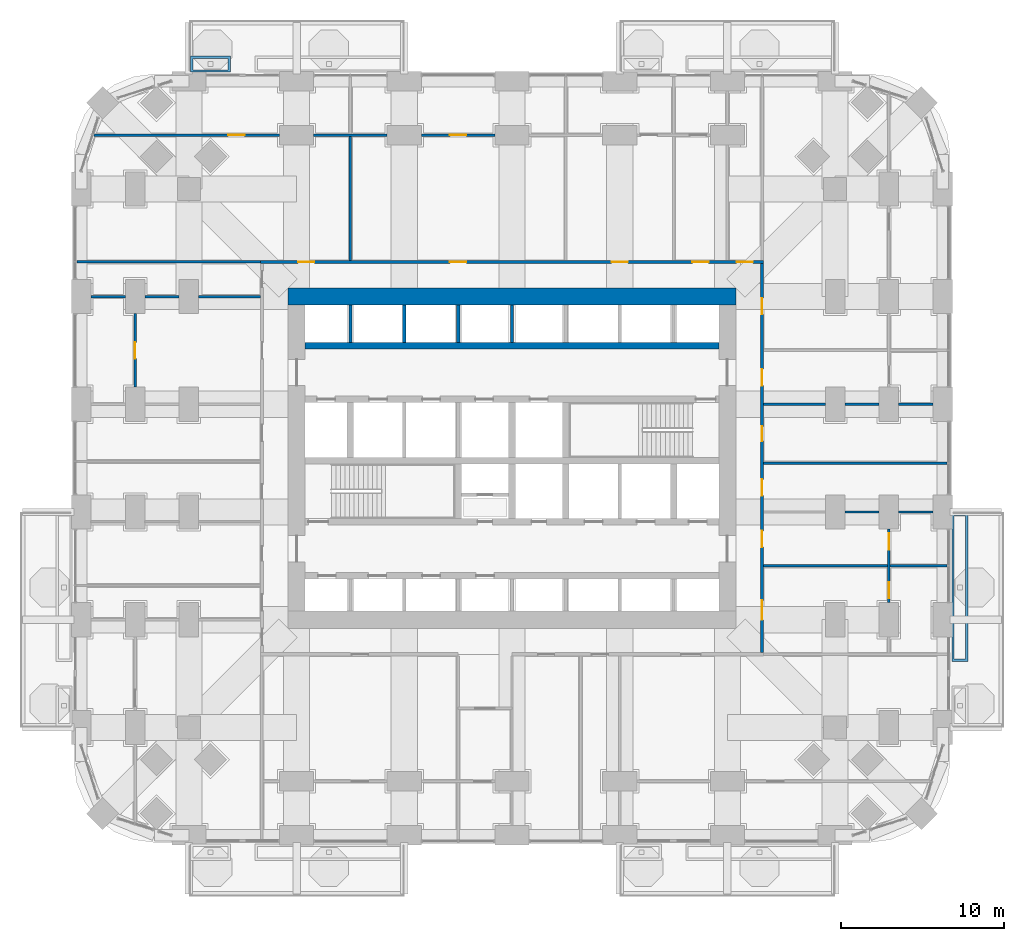
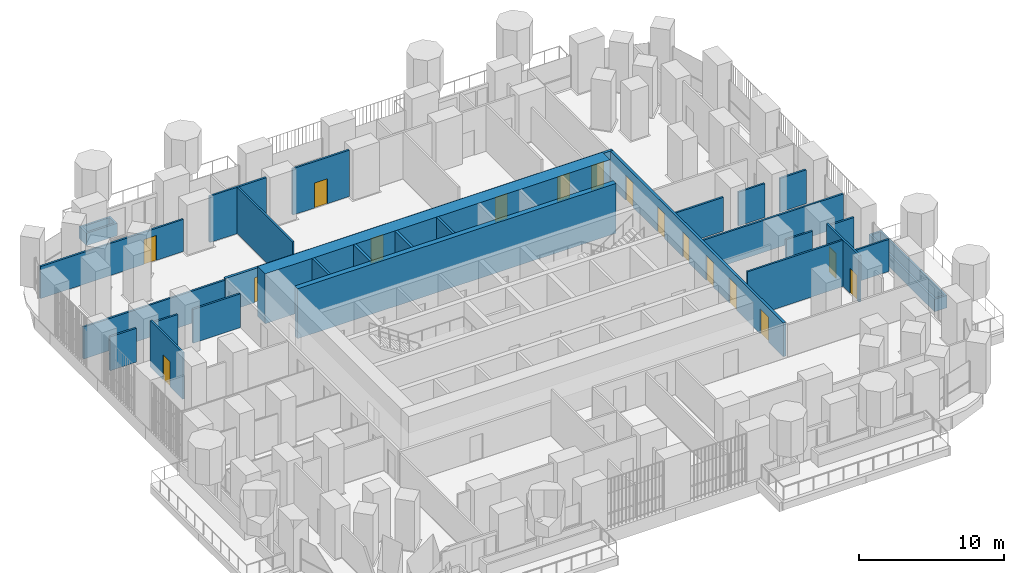
# One storey, part 21 of 27: 28 walls, 16 doors, 16 openings.
"""IFC4 building model written with IfcOpenShell, lengths in metres."""

from ifc_helpers import new_model, si_unit, direction, frame, frame_2d, origin, place, context, subcontext, project, spatial, polyline, rectangle, outline, extrude, material, layer, layer_set, type_object, element, fill, save


model = new_model("IFC4")

# Units and contexts
model_context = context("Model", 3, precision=1e-05, world=origin(), true_north=direction((0.0, 1.0)))
body_context = subcontext(model_context, "Body", "Model", "MODEL_VIEW")
ifc_project = project(units=[si_unit("LENGTHUNIT", "METRE"), si_unit("AREAUNIT", "SQUARE_METRE"), si_unit("VOLUMEUNIT", "CUBIC_METRE"), si_unit("PLANEANGLEUNIT", "RADIAN"), si_unit("MASSUNIT", "GRAM", prefix="KILO")], contexts=[model_context])

# Site, building, storey
site_placement = place(None, origin())
site = spatial("IfcSite", under=ifc_project, at=site_placement, CompositionType="ELEMENT")
building_placement = place(site_placement, origin())
building = spatial("IfcBuilding", under=site, at=building_placement, Name="Cobogo Forest Laboratory Tower", CompositionType="ELEMENT")
storey_placement = place(building_placement, frame((0.0, 0.0, 54.89990234375)))
storey = spatial("IfcBuildingStorey", under=building, at=storey_placement, Name="L12", CompositionType="ELEMENT", Elevation=54.89990234375)

# Walls
ifc_material_1 = material(Name="Concrete HA-50 (C50/60)", Category="concrete")
ifc_layer_1 = layer(ifc_material_1, 0.39990234375)
ifc_layer_set_1 = layer_set([ifc_layer_1], Name="CI400 core inner wall 400")
wall_type_1 = type_object("IfcWallType", Name="CI400 core inner wall 400", PredefinedType="SHEAR", material=ifc_layer_set_1)
wall_1_placement = place(storey_placement, frame((13.72509765625, 30.0, 0.0), z_axis=(0.0, 0.0, 1.0), x_axis=(1.0, 0.0, 0.0)))
element("IfcWall", 1, at=wall_1_placement, inside=storey, type_object=wall_type_1, Name="Core wall CI-30.0 L12", PredefinedType="SHEAR", context=body_context, shape_type="SweptSolid", body=[
    extrude(rectangle(XDim=25.349853515625, YDim=0.39990234375, at=frame_2d((12.6748046875, 0.0))), origin(), (0.0, 0.0, 1.0), 4.2001953125),
])
ifc_layer_2 = layer(ifc_material_1, 1.050048828125)
ifc_layer_set_2 = layer_set([ifc_layer_2], Name="CW1050 core outer wall 1050")
wall_type_2 = type_object("IfcWallType", Name="CW1050 core outer wall 1050", PredefinedType="SHEAR", material=ifc_layer_set_2)
wall_2_placement = place(storey_placement, frame((40.125, 33.0, 0.0), z_axis=(0.0, 0.0, 1.0), x_axis=(-1.0, 0.0, 0.0)))
element("IfcWall", 2, at=wall_2_placement, inside=storey, type_object=wall_type_2, Name="Core wall CO-N L12", PredefinedType="SHEAR", context=body_context, shape_type="SweptSolid", body=[
    extrude(rectangle(XDim=27.449951171875, YDim=1.050048828125, at=frame_2d((13.72509765625, 0.0))), origin(), (0.0, 0.0, 1.0), 4.2001953125),
])
ifc_material_2 = material(Name="Gypsum board on steel studs", Category="steel")
ifc_layer_3 = layer(ifc_material_2, 0.14990234375)
ifc_layer_set_3 = layer_set([ifc_layer_3], Name="PT1 laboratory partition 150")
wall_type_3 = type_object("IfcWallType", Name="PT1 laboratory partition 150", PredefinedType="PARTITIONING", material=ifc_layer_set_3)
wall_3_placement = place(storey_placement, frame((-0.27001953125, 35.125, 0.0), z_axis=(0.0, 0.0, 1.0), x_axis=(1.0, 0.0, 0.0)))
element("IfcWall", 3, at=wall_3_placement, inside=storey, type_object=wall_type_3, Name="Partition PW-NW L12", PredefinedType="PARTITIONING", context=body_context, shape_type="SweptSolid", body=[
    extrude(rectangle(XDim=11.2451171875, YDim=0.14990234375, at=frame_2d((5.62255859375, 0.0))), origin(), (0.0, 0.0, 1.0), 2.7001953125),
])

# Wall, openings, doors
wall_4_placement = place(storey_placement, frame((49.5, 14.25, 0.0), z_axis=(0.0, 0.0, 1.0), x_axis=(0.0, 1.0, 0.0)))
wall_4 = element("IfcWall", 4, at=wall_4_placement, inside=storey, type_object=wall_type_3, Name="Partition STRIP-E-2 L12", PredefinedType="PARTITIONING", context=body_context, shape_type="SweptSolid", body=[
    extrude(rectangle(XDim=4.5, YDim=0.14990234375, at=frame_2d((2.25, 0.0))), origin(), (0.0, 0.0, 1.0), 3.900146484375),
])
opening_1_placement = place(wall_4_placement, frame((0.25, 0.0, 0.0)))
opening_1 = element("IfcOpeningElement", 5, at=opening_1_placement, cuts=wall_4, Name="Opening L12-D17", PredefinedType="OPENING", context=body_context, shape_type="SweptSolid", body=[
    extrude(rectangle(XDim=1.0, YDim=2.10009765625, at=frame_2d((0.5, 1.050048828125))), frame((0.0, 0.0849609375, 0.0), z_axis=(0.0, -1.0, 0.0), x_axis=(1.0, 0.0, 0.0)), (0.0, 0.0, 1.0), 0.169921875),
])
opening_2_placement = place(wall_4_placement, frame((3.25, 0.0, 0.0)))
opening_2 = element("IfcOpeningElement", 6, at=opening_2_placement, cuts=wall_4, Name="Opening L12-D21", PredefinedType="OPENING", context=body_context, shape_type="SweptSolid", body=[
    extrude(rectangle(XDim=1.0, YDim=2.10009765625, at=frame_2d((0.5, 1.050048828125))), frame((0.0, 0.0849609375, 0.0), z_axis=(0.0, -1.0, 0.0), x_axis=(1.0, 0.0, 0.0)), (0.0, 0.0, 1.0), 0.169921875),
])
ifc_material_3 = material(Name="Timber fire door", Category="wood")
door_type_1 = type_object("IfcDoorType", Name="FD2 fire door 1000 EI2 30", OperationType="SINGLE_SWING_LEFT", PredefinedType="DOOR", material=ifc_material_3)
door_1_placement = place(opening_1_placement, origin())
door_1 = element("IfcDoor", 7, at=door_1_placement, inside=storey, type_object=door_type_1, Name="Door L12-E1W", OperationType="SINGLE_SWING_LEFT", OverallHeight=2.10009765625, OverallWidth=1.0, PredefinedType="DOOR", context=body_context, shape_type="SweptSolid", body=[
    extrude(rectangle(XDim=1.0, YDim=2.10009765625, at=frame_2d((0.5, 1.050048828125))), frame((0.0, 0.02490234375, 0.0), z_axis=(0.0, -1.0, 0.0), x_axis=(1.0, 0.0, 0.0)), (0.0, 0.0, 1.0), 0.050048828125),
])
fill(opening_1, door_1)
door_2_placement = place(opening_2_placement, origin())
door_2 = element("IfcDoor", 8, at=door_2_placement, inside=storey, type_object=door_type_1, Name="Door L12-E2W", OperationType="SINGLE_SWING_RIGHT", OverallHeight=2.10009765625, OverallWidth=1.0, PredefinedType="DOOR", context=body_context, shape_type="SweptSolid", body=[
    extrude(rectangle(XDim=1.0, YDim=2.10009765625, at=frame_2d((0.5, 1.050048828125))), frame((0.0, 0.02490234375, 0.0), z_axis=(0.0, -1.0, 0.0), x_axis=(1.0, 0.0, 0.0)), (0.0, 0.0, 1.0), 0.050048828125),
])
fill(opening_2, door_2)

# Walls
wall_5_placement = place(storey_placement, frame((53.070068359375, 22.800048828125, 0.0), z_axis=(0.0, 0.0, 1.0), x_axis=(-1.0, 0.0, 0.0)))
element("IfcWall", 9, at=wall_5_placement, inside=storey, type_object=wall_type_3, Name="Partition SVC-E1-1 L12", PredefinedType="PARTITIONING", context=body_context, shape_type="SweptSolid", body=[
    extrude(rectangle(XDim=11.2451171875, YDim=0.14990234375, at=frame_2d((5.62255859375, 0.0))), origin(), (0.0, 0.0, 1.0), 2.7001953125),
])
for number, where, z_axis, x_axis, name in (
    (10, (52.199951171875, 26.39990234375, 0.0), (0.0, 0.0, 1.0), (-1.0, 0.0, 0.0), "Partition SVC-E2-1 L12"),
    (11, (48.89990234375, 26.39990234375, 0.0), (0.0, 0.0, 1.0), (-1.0, 0.0, 0.0), "Partition SVC-E2-2 L12"),
):
    element("IfcWall", number, at=place(storey_placement, frame(where, z_axis=z_axis, x_axis=x_axis)), inside=storey, type_object=wall_type_3, Name=name, PredefinedType="PARTITIONING", context=body_context, shape_type="SweptSolid", body=[
        extrude(rectangle(XDim=2.099853515625, YDim=0.14990234375, at=frame_2d((1.0498046875, 0.0))), origin(), (0.0, 0.0, 1.0), 2.85009765625),
    ])
wall_6_placement = place(storey_placement, frame((45.60009765625, 26.39990234375, 0.0), z_axis=(0.0, 0.0, 1.0), x_axis=(-1.0, 0.0, 0.0)))
element("IfcWall", 12, at=wall_6_placement, inside=storey, type_object=wall_type_3, Name="Partition SVC-E2-3 L12", PredefinedType="PARTITIONING", context=body_context, shape_type="SweptSolid", body=[
    extrude(rectangle(XDim=3.775146484375, YDim=0.14990234375, at=frame_2d((1.8876953125, 0.0))), origin(), (0.0, 0.0, 1.0), 2.85009765625),
])
wall_7_placement = place(storey_placement, frame((53.070068359375, 16.5, 0.0), z_axis=(0.0, 0.0, 1.0), x_axis=(-1.0, 0.0, 0.0)))
element("IfcWall", 13, at=wall_7_placement, inside=storey, type_object=wall_type_3, Name="Partition CUT-E16.5a-1 L12", PredefinedType="PARTITIONING", context=body_context, shape_type="SweptSolid", body=[
    extrude(rectangle(XDim=3.4951171875, YDim=0.14990234375, at=frame_2d((1.74755859375, 0.0))), origin(), (0.0, 0.0, 1.0), 2.7001953125),
])
wall_8_placement = place(storey_placement, frame((49.425048828125, 16.5, 0.0), z_axis=(0.0, 0.0, 1.0), x_axis=(-1.0, 0.0, 0.0)))
element("IfcWall", 14, at=wall_8_placement, inside=storey, type_object=wall_type_3, Name="Partition CUT-E16.5b-1 L12", PredefinedType="PARTITIONING", context=body_context, shape_type="SweptSolid", body=[
    extrude(rectangle(XDim=7.60009765625, YDim=0.14990234375, at=frame_2d((3.800048828125, 0.0))), origin(), (0.0, 0.0, 1.0), 3.900146484375),
])
for number, where, z_axis, x_axis, name in (
    (15, (52.199951171875, 19.800048828125, 0.0), (0.0, 0.0, 1.0), (-1.0, 0.0, 0.0), "Partition CUT-E19.8-1 L12"),
    (16, (48.89990234375, 19.800048828125, 0.0), (0.0, 0.0, 1.0), (-1.0, 0.0, 0.0), "Partition CUT-E19.8-2 L12"),
):
    element("IfcWall", number, at=place(storey_placement, frame(where, z_axis=z_axis, x_axis=x_axis)), inside=storey, type_object=wall_type_3, Name=name, PredefinedType="PARTITIONING", context=body_context, shape_type="SweptSolid", body=[
        extrude(rectangle(XDim=2.099853515625, YDim=0.14990234375, at=frame_2d((1.0498046875, 0.0))), origin(), (0.0, 0.0, 1.0), 2.85009765625),
    ])

# Wall, opening, door
wall_9_placement = place(storey_placement, frame((25.35009765625, 42.89990234375, 0.0), z_axis=(0.0, 0.0, 1.0), x_axis=(-1.0, 0.0, 0.0)))
wall_9 = element("IfcWall", 17, at=wall_9_placement, inside=storey, type_object=wall_type_3, Name="Partition STRIP-N-3 L12", PredefinedType="PARTITIONING", context=body_context, shape_type="SweptSolid", body=[
    extrude(rectangle(XDim=4.5, YDim=0.14990234375, at=frame_2d((2.25, 0.0))), origin(), (0.0, 0.0, 1.0), 3.900146484375),
])
opening_3_placement = place(wall_9_placement, frame((1.75, 0.0, 0.0)))
opening_3 = element("IfcOpeningElement", 18, at=opening_3_placement, cuts=wall_9, Name="Opening L12-D47", PredefinedType="OPENING", context=body_context, shape_type="SweptSolid", body=[
    extrude(rectangle(XDim=1.0, YDim=2.10009765625, at=frame_2d((0.5, 1.050048828125))), frame((0.0, 0.0849609375, 0.0), z_axis=(0.0, -1.0, 0.0), x_axis=(1.0, 0.0, 0.0)), (0.0, 0.0, 1.0), 0.169921875),
])
door_3_placement = place(opening_3_placement, origin())
door_3 = element("IfcDoor", 19, at=door_3_placement, inside=storey, type_object=door_type_1, Name="Door L12-N2W", OperationType="SINGLE_SWING_RIGHT", OverallHeight=2.10009765625, OverallWidth=1.0, PredefinedType="DOOR", context=body_context, shape_type="SweptSolid", body=[
    extrude(rectangle(XDim=1.0, YDim=2.10009765625, at=frame_2d((0.5, 1.050048828125))), frame((0.0, 0.02490234375, 0.0), z_axis=(0.0, -1.0, 0.0), x_axis=(1.0, 0.0, 0.0)), (0.0, 0.0, 1.0), 0.050048828125),
])
fill(opening_3, door_3)

# Wall
wall_10_placement = place(storey_placement, frame((18.75, 42.89990234375, 0.0), z_axis=(0.0, 0.0, 1.0), x_axis=(-1.0, 0.0, 0.0)))
element("IfcWall", 20, at=wall_10_placement, inside=storey, type_object=wall_type_3, Name="Partition STRIP-N-4 L12", PredefinedType="PARTITIONING", context=body_context, shape_type="SweptSolid", body=[
    extrude(rectangle(XDim=4.5, YDim=0.14990234375, at=frame_2d((2.25, 0.0))), origin(), (0.0, 0.0, 1.0), 3.900146484375),
])

# Wall, opening, door
wall_11_placement = place(storey_placement, frame((12.14990234375, 42.89990234375, 0.0), z_axis=(0.0, 0.0, 1.0), x_axis=(-1.0, 0.0, 0.0)))
wall_11 = element("IfcWall", 21, at=wall_11_placement, inside=storey, type_object=wall_type_3, Name="Partition STRIP-N-5 L12", PredefinedType="PARTITIONING", context=body_context, shape_type="SweptSolid", body=[
    extrude(rectangle(XDim=11.373779296875, YDim=0.14990234375, at=frame_2d((5.68701171875, 0.0))), origin(), (0.0, 0.0, 1.0), 2.7001953125),
])
opening_4_placement = place(wall_11_placement, frame((2.14208984375, 0.0, 0.0)))
opening_4 = element("IfcOpeningElement", 22, at=opening_4_placement, cuts=wall_11, Name="Opening L12-D46", PredefinedType="OPENING", context=body_context, shape_type="SweptSolid", body=[
    extrude(rectangle(XDim=1.0, YDim=2.10009765625, at=frame_2d((0.5, 1.050048828125))), frame((0.0, 0.0849609375, 0.0), z_axis=(0.0, -1.0, 0.0), x_axis=(1.0, 0.0, 0.0)), (0.0, 0.0, 1.0), 0.169921875),
])
door_4_placement = place(opening_4_placement, origin())
door_4 = element("IfcDoor", 23, at=door_4_placement, inside=storey, type_object=door_type_1, Name="Door L12-N1W", OperationType="SINGLE_SWING_LEFT", OverallHeight=2.10009765625, OverallWidth=1.0, PredefinedType="DOOR", context=body_context, shape_type="SweptSolid", body=[
    extrude(rectangle(XDim=1.0, YDim=2.10009765625, at=frame_2d((0.5, 1.050048828125))), frame((0.0, 0.02490234375, 0.0), z_axis=(0.0, -1.0, 0.0), x_axis=(1.0, 0.0, 0.0)), (0.0, 0.0, 1.0), 0.050048828125),
])
fill(opening_4, door_4)

# Wall
wall_12_placement = place(storey_placement, frame((16.5, 42.824951171875, 0.0), z_axis=(0.0, 0.0, 1.0), x_axis=(0.0, -1.0, 0.0)))
element("IfcWall", 24, at=wall_12_placement, inside=storey, type_object=wall_type_3, Name="Partition CUT-N16.5b-1 L12", PredefinedType="PARTITIONING", context=body_context, shape_type="SweptSolid", body=[
    extrude(rectangle(XDim=7.599853515625, YDim=0.14990234375, at=frame_2d((3.7998046875, 0.0))), origin(), (0.0, 0.0, 1.0), 3.900146484375),
])

# Wall, opening, door
wall_13_placement = place(storey_placement, frame((3.300048828125, 31.949951171875, 0.0), z_axis=(0.0, 0.0, 1.0), x_axis=(0.0, -1.0, 0.0)))
wall_13 = element("IfcWall", 25, at=wall_13_placement, inside=storey, type_object=wall_type_3, Name="Partition STRIP-W-1 L12", PredefinedType="PARTITIONING", context=body_context, shape_type="SweptSolid", body=[
    extrude(rectangle(XDim=4.5, YDim=0.14990234375, at=frame_2d((2.25, 0.0))), origin(), (0.0, 0.0, 1.0), 3.900146484375),
])
opening_5_placement = place(wall_13_placement, frame((1.75, 0.0, 0.0)))
opening_5 = element("IfcOpeningElement", 26, at=opening_5_placement, cuts=wall_13, Name="Opening L12-D36", PredefinedType="OPENING", context=body_context, shape_type="SweptSolid", body=[
    extrude(rectangle(XDim=1.0, YDim=2.10009765625, at=frame_2d((0.5, 1.050048828125))), frame((0.0, 0.0849609375, 0.0), z_axis=(0.0, -1.0, 0.0), x_axis=(1.0, 0.0, 0.0)), (0.0, 0.0, 1.0), 0.169921875),
])
door_5_placement = place(opening_5_placement, origin())
door_5 = element("IfcDoor", 27, at=door_5_placement, inside=storey, type_object=door_type_1, Name="Door L12-W3W", OperationType="SINGLE_SWING_RIGHT", OverallHeight=2.10009765625, OverallWidth=1.0, PredefinedType="DOOR", context=body_context, shape_type="SweptSolid", body=[
    extrude(rectangle(XDim=1.0, YDim=2.10009765625, at=frame_2d((0.5, 1.050048828125))), frame((0.0, 0.02490234375, 0.0), z_axis=(0.0, -1.0, 0.0), x_axis=(1.0, 0.0, 0.0)), (0.0, 0.0, 1.0), 0.050048828125),
])
fill(opening_5, door_5)

# Walls
wall_14_placement = place(storey_placement, frame((0.60009765625, 33.0, 0.0), z_axis=(0.0, 0.0, 1.0), x_axis=(1.0, 0.0, 0.0)))
element("IfcWall", 28, at=wall_14_placement, inside=storey, type_object=wall_type_3, Name="Partition CUT-W33-1 L12", PredefinedType="PARTITIONING", context=body_context, shape_type="SweptSolid", body=[
    extrude(rectangle(XDim=2.099853515625, YDim=0.14990234375, at=frame_2d((1.0498046875, 0.0))), origin(), (0.0, 0.0, 1.0), 2.85009765625),
])
wall_15_placement = place(storey_placement, frame((3.89990234375, 33.0, 0.0), z_axis=(0.0, 0.0, 1.0), x_axis=(1.0, 0.0, 0.0)))
element("IfcWall", 29, at=wall_15_placement, inside=storey, type_object=wall_type_3, Name="Partition CUT-W33-2 L12", PredefinedType="PARTITIONING", context=body_context, shape_type="SweptSolid", body=[
    extrude(rectangle(XDim=2.10009765625, YDim=0.14990234375, at=frame_2d((1.050048828125, 0.0))), origin(), (0.0, 0.0, 1.0), 2.85009765625),
])
wall_16_placement = place(storey_placement, frame((7.199951171875, 33.0, 0.0), z_axis=(0.0, 0.0, 1.0), x_axis=(1.0, 0.0, 0.0)))
element("IfcWall", 30, at=wall_16_placement, inside=storey, type_object=wall_type_3, Name="Partition CUT-W33-3 L12", PredefinedType="PARTITIONING", context=body_context, shape_type="SweptSolid", body=[
    extrude(rectangle(XDim=3.775146484375, YDim=0.14990234375, at=frame_2d((1.8876953125, 0.0))), origin(), (0.0, 0.0, 1.0), 2.85009765625),
])

# Wall, openings, doors
ifc_layer_4 = layer(ifc_material_2, 0.199951171875)
ifc_layer_set_4 = layer_set([ifc_layer_4], Name="PT2 fire-rated corridor partition 200")
wall_type_4 = type_object("IfcWallType", Name="PT2 fire-rated corridor partition 200", PredefinedType="PARTITIONING", material=ifc_layer_set_4)
wall_17_placement = place(storey_placement, frame((10.97509765625, 35.125, 0.0), z_axis=(0.0, 0.0, 1.0), x_axis=(1.0, 0.0, 0.0)))
wall_17 = element("IfcWall", 31, at=wall_17_placement, inside=storey, type_object=wall_type_4, Name="Partition CORR-N L12", PredefinedType="PARTITIONING", context=body_context, shape_type="SweptSolid", body=[
    extrude(rectangle(XDim=30.849853515625, YDim=0.199951171875, at=frame_2d((15.4248046875, 0.0))), origin(), (0.0, 0.0, 1.0), 2.85009765625),
])
opening_6_placement = place(wall_17_placement, frame((2.3125, 0.0, 0.0)))
opening_6 = element("IfcOpeningElement", 32, at=opening_6_placement, cuts=wall_17, Name="Opening L12-D40", PredefinedType="OPENING", context=body_context, shape_type="SweptSolid", body=[
    extrude(rectangle(XDim=1.0, YDim=2.10009765625, at=frame_2d((0.5, 1.050048828125))), frame((0.0, 0.10986328125, 0.0), z_axis=(0.0, -1.0, 0.0), x_axis=(1.0, 0.0, 0.0)), (0.0, 0.0, 1.0), 0.219970703125),
])
opening_7_placement = place(wall_17_placement, frame((11.625, 0.0, 0.0)))
opening_7 = element("IfcOpeningElement", 33, at=opening_7_placement, cuts=wall_17, Name="Opening L12-D41", PredefinedType="OPENING", context=body_context, shape_type="SweptSolid", body=[
    extrude(rectangle(XDim=1.0, YDim=2.10009765625, at=frame_2d((0.5, 1.050048828125))), frame((0.0, 0.10986328125, 0.0), z_axis=(0.0, -1.0, 0.0), x_axis=(1.0, 0.0, 0.0)), (0.0, 0.0, 1.0), 0.219970703125),
])
opening_8_placement = place(wall_17_placement, frame((21.52490234375, 0.0, 0.0)))
opening_8 = element("IfcOpeningElement", 34, at=opening_8_placement, cuts=wall_17, Name="Opening L12-D42", PredefinedType="OPENING", context=body_context, shape_type="SweptSolid", body=[
    extrude(rectangle(XDim=1.0, YDim=2.10009765625, at=frame_2d((0.5, 1.050048828125))), frame((0.0, 0.10986328125, 0.0), z_axis=(0.0, -1.0, 0.0), x_axis=(1.0, 0.0, 0.0)), (0.0, 0.0, 1.0), 0.219970703125),
])
opening_9_placement = place(wall_17_placement, frame((26.47509765625, 0.0, 0.0)))
opening_9 = element("IfcOpeningElement", 35, at=opening_9_placement, cuts=wall_17, Name="Opening L12-D43", PredefinedType="OPENING", context=body_context, shape_type="SweptSolid", body=[
    extrude(rectangle(XDim=1.0, YDim=2.10009765625, at=frame_2d((0.5, 1.050048828125))), frame((0.0, 0.10986328125, 0.0), z_axis=(0.0, -1.0, 0.0), x_axis=(1.0, 0.0, 0.0)), (0.0, 0.0, 1.0), 0.219970703125),
])
opening_10_placement = place(wall_17_placement, frame((29.1875, 0.0, 0.0)))
opening_10 = element("IfcOpeningElement", 36, at=opening_10_placement, cuts=wall_17, Name="Opening L12-D44", PredefinedType="OPENING", context=body_context, shape_type="SweptSolid", body=[
    extrude(rectangle(XDim=1.0, YDim=2.10009765625, at=frame_2d((0.5, 1.050048828125))), frame((0.0, 0.10986328125, 0.0), z_axis=(0.0, -1.0, 0.0), x_axis=(1.0, 0.0, 0.0)), (0.0, 0.0, 1.0), 0.219970703125),
])
ifc_material_4 = material(Name="Steel fire door", Category="steel")
door_type_2 = type_object("IfcDoorType", Name="FD1 fire door 1000 EI2 60", OperationType="SINGLE_SWING_LEFT", PredefinedType="DOOR", material=ifc_material_4)
door_6_placement = place(opening_8_placement, origin())
door_6 = element("IfcDoor", 37, at=door_6_placement, inside=storey, type_object=door_type_2, Name="Door L12-N3", OperationType="SINGLE_SWING_RIGHT", OverallHeight=2.10009765625, OverallWidth=1.0, PredefinedType="DOOR", context=body_context, shape_type="SweptSolid", body=[
    extrude(rectangle(XDim=1.0, YDim=2.10009765625, at=frame_2d((0.5, 1.050048828125))), frame((0.0, 0.02490234375, 0.0), z_axis=(0.0, -1.0, 0.0), x_axis=(1.0, 0.0, 0.0)), (0.0, 0.0, 1.0), 0.050048828125),
])
fill(opening_8, door_6)
door_7_placement = place(opening_6_placement, origin())
door_7 = element("IfcDoor", 38, at=door_7_placement, inside=storey, type_object=door_type_1, Name="Door L12-N1", OperationType="SINGLE_SWING_LEFT", OverallHeight=2.10009765625, OverallWidth=1.0, PredefinedType="DOOR", context=body_context, shape_type="SweptSolid", body=[
    extrude(rectangle(XDim=1.0, YDim=2.10009765625, at=frame_2d((0.5, 1.050048828125))), frame((0.0, 0.02490234375, 0.0), z_axis=(0.0, -1.0, 0.0), x_axis=(1.0, 0.0, 0.0)), (0.0, 0.0, 1.0), 0.050048828125),
])
fill(opening_6, door_7)
door_8_placement = place(opening_7_placement, origin())
door_8 = element("IfcDoor", 39, at=door_8_placement, inside=storey, type_object=door_type_1, Name="Door L12-N2", OperationType="SINGLE_SWING_LEFT", OverallHeight=2.10009765625, OverallWidth=1.0, PredefinedType="DOOR", context=body_context, shape_type="SweptSolid", body=[
    extrude(rectangle(XDim=1.0, YDim=2.10009765625, at=frame_2d((0.5, 1.050048828125))), frame((0.0, 0.02490234375, 0.0), z_axis=(0.0, -1.0, 0.0), x_axis=(1.0, 0.0, 0.0)), (0.0, 0.0, 1.0), 0.050048828125),
])
fill(opening_7, door_8)
door_9_placement = place(opening_9_placement, origin())
door_9 = element("IfcDoor", 40, at=door_9_placement, inside=storey, type_object=door_type_1, Name="Door L12-N4", OperationType="SINGLE_SWING_RIGHT", OverallHeight=2.10009765625, OverallWidth=1.0, PredefinedType="DOOR", context=body_context, shape_type="SweptSolid", body=[
    extrude(rectangle(XDim=1.0, YDim=2.10009765625, at=frame_2d((0.5, 1.050048828125))), frame((0.0, 0.02490234375, 0.0), z_axis=(0.0, -1.0, 0.0), x_axis=(1.0, 0.0, 0.0)), (0.0, 0.0, 1.0), 0.050048828125),
])
fill(opening_9, door_9)
door_10_placement = place(opening_10_placement, origin())
door_10 = element("IfcDoor", 41, at=door_10_placement, inside=storey, type_object=door_type_1, Name="Door L12-N5", OperationType="SINGLE_SWING_RIGHT", OverallHeight=2.10009765625, OverallWidth=1.0, PredefinedType="DOOR", context=body_context, shape_type="SweptSolid", body=[
    extrude(rectangle(XDim=1.0, YDim=2.10009765625, at=frame_2d((0.5, 1.050048828125))), frame((0.0, 0.02490234375, 0.0), z_axis=(0.0, -1.0, 0.0), x_axis=(1.0, 0.0, 0.0)), (0.0, 0.0, 1.0), 0.050048828125),
])
fill(opening_10, door_10)

wall_18_placement = place(storey_placement, frame((41.72509765625, 11.175048828125, 0.0), z_axis=(0.0, 0.0, 1.0), x_axis=(0.0, 1.0, 0.0)))
wall_18 = element("IfcWall", 42, at=wall_18_placement, inside=storey, type_object=wall_type_4, Name="Partition CORR-E L12", PredefinedType="PARTITIONING", context=body_context, shape_type="SweptSolid", body=[
    extrude(rectangle(XDim=23.849853515625, YDim=0.199951171875, at=frame_2d((11.9248046875, 0.0))), origin(), (0.0, 0.0, 1.0), 2.85009765625),
])
opening_11_placement = place(wall_18_placement, frame((2.012451171875, 0.0, 0.0)))
opening_11 = element("IfcOpeningElement", 43, at=opening_11_placement, cuts=wall_18, Name="Opening L12-D15", PredefinedType="OPENING", context=body_context, shape_type="SweptSolid", body=[
    extrude(rectangle(XDim=1.199951171875, YDim=2.10009765625, at=frame_2d((0.60009765625, 1.050048828125))), frame((0.0, 0.10986328125, 0.0), z_axis=(0.0, -1.0, 0.0), x_axis=(1.0, 0.0, 0.0)), (0.0, 0.0, 1.0), 0.219970703125),
])
opening_12_placement = place(wall_18_placement, frame((6.47509765625, 0.0, 0.0)))
opening_12 = element("IfcOpeningElement", 44, at=opening_12_placement, cuts=wall_18, Name="Opening L12-D22", PredefinedType="OPENING", context=body_context, shape_type="SweptSolid", body=[
    extrude(rectangle(XDim=1.0, YDim=2.10009765625, at=frame_2d((0.5, 1.050048828125))), frame((0.0, 0.10986328125, 0.0), z_axis=(0.0, -1.0, 0.0), x_axis=(1.0, 0.0, 0.0)), (0.0, 0.0, 1.0), 0.219970703125),
])
opening_13_placement = place(wall_18_placement, frame((9.625, 0.0, 0.0)))
opening_13 = element("IfcOpeningElement", 45, at=opening_13_placement, cuts=wall_18, Name="Opening L12-D28", PredefinedType="OPENING", context=body_context, shape_type="SweptSolid", body=[
    extrude(rectangle(XDim=1.0, YDim=2.10009765625, at=frame_2d((0.5, 1.050048828125))), frame((0.0, 0.10986328125, 0.0), z_axis=(0.0, -1.0, 0.0), x_axis=(1.0, 0.0, 0.0)), (0.0, 0.0, 1.0), 0.219970703125),
])
opening_14_placement = place(wall_18_placement, frame((12.97509765625, 0.0, 0.0)))
opening_14 = element("IfcOpeningElement", 46, at=opening_14_placement, cuts=wall_18, Name="Opening L12-D29", PredefinedType="OPENING", context=body_context, shape_type="SweptSolid", body=[
    extrude(rectangle(XDim=0.89990234375, YDim=2.10009765625, at=frame_2d((0.449951171875, 1.050048828125))), frame((0.0, 0.10986328125, 0.0), z_axis=(0.0, -1.0, 0.0), x_axis=(1.0, 0.0, 0.0)), (0.0, 0.0, 1.0), 0.219970703125),
])
opening_15_placement = place(wall_18_placement, frame((16.375, 0.0, 0.0)))
opening_15 = element("IfcOpeningElement", 47, at=opening_15_placement, cuts=wall_18, Name="Opening L12-D32", PredefinedType="OPENING", context=body_context, shape_type="SweptSolid", body=[
    extrude(rectangle(XDim=1.0, YDim=2.10009765625, at=frame_2d((0.5, 1.050048828125))), frame((0.0, 0.10986328125, 0.0), z_axis=(0.0, -1.0, 0.0), x_axis=(1.0, 0.0, 0.0)), (0.0, 0.0, 1.0), 0.219970703125),
])
opening_16_placement = place(wall_18_placement, frame((20.737548828125, 0.0, 0.0)))
opening_16 = element("IfcOpeningElement", 48, at=opening_16_placement, cuts=wall_18, Name="Opening L12-D38", PredefinedType="OPENING", context=body_context, shape_type="SweptSolid", body=[
    extrude(rectangle(XDim=1.0, YDim=2.10009765625, at=frame_2d((0.5, 1.050048828125))), frame((0.0, 0.10986328125, 0.0), z_axis=(0.0, -1.0, 0.0), x_axis=(1.0, 0.0, 0.0)), (0.0, 0.0, 1.0), 0.219970703125),
])
ifc_material_5 = material(Name="Timber door", Category="wood")
door_type_3 = type_object("IfcDoorType", Name="D2 laboratory door 1200 unequal pair", OperationType="DOUBLE_DOOR_SINGLE_SWING", PredefinedType="DOOR", material=ifc_material_5)
door_11_placement = place(opening_11_placement, origin())
door_11 = element("IfcDoor", 49, at=door_11_placement, inside=storey, type_object=door_type_3, Name="Door L12-E1", OperationType="DOUBLE_DOOR_SINGLE_SWING", OverallHeight=2.10009765625, OverallWidth=1.199951171875, PredefinedType="DOOR", context=body_context, shape_type="SweptSolid", body=[
    extrude(rectangle(XDim=1.199951171875, YDim=2.10009765625, at=frame_2d((0.60009765625, 1.050048828125))), frame((0.0, 0.02490234375, 0.0), z_axis=(0.0, -1.0, 0.0), x_axis=(1.0, 0.0, 0.0)), (0.0, 0.0, 1.0), 0.050048828125),
])
fill(opening_11, door_11)
door_12_placement = place(opening_12_placement, origin())
door_12 = element("IfcDoor", 50, at=door_12_placement, inside=storey, type_object=door_type_2, Name="Door L12-E2", OperationType="SINGLE_SWING_LEFT", OverallHeight=2.10009765625, OverallWidth=1.0, PredefinedType="DOOR", context=body_context, shape_type="SweptSolid", body=[
    extrude(rectangle(XDim=1.0, YDim=2.10009765625, at=frame_2d((0.5, 1.050048828125))), frame((0.0, 0.02490234375, 0.0), z_axis=(0.0, -1.0, 0.0), x_axis=(1.0, 0.0, 0.0)), (0.0, 0.0, 1.0), 0.050048828125),
])
fill(opening_12, door_12)
door_13_placement = place(opening_13_placement, origin())
door_13 = element("IfcDoor", 51, at=door_13_placement, inside=storey, type_object=door_type_2, Name="Door L12-ELEC", OperationType="SINGLE_SWING_LEFT", OverallHeight=2.10009765625, OverallWidth=1.0, PredefinedType="DOOR", context=body_context, shape_type="SweptSolid", body=[
    extrude(rectangle(XDim=1.0, YDim=2.10009765625, at=frame_2d((0.5, 1.050048828125))), frame((0.0, 0.02490234375, 0.0), z_axis=(0.0, -1.0, 0.0), x_axis=(1.0, 0.0, 0.0)), (0.0, 0.0, 1.0), 0.050048828125),
])
fill(opening_13, door_13)
door_14_placement = place(opening_15_placement, origin())
door_14 = element("IfcDoor", 52, at=door_14_placement, inside=storey, type_object=door_type_2, Name="Door L12-E3", OperationType="SINGLE_SWING_RIGHT", OverallHeight=2.10009765625, OverallWidth=1.0, PredefinedType="DOOR", context=body_context, shape_type="SweptSolid", body=[
    extrude(rectangle(XDim=1.0, YDim=2.10009765625, at=frame_2d((0.5, 1.050048828125))), frame((0.0, 0.02490234375, 0.0), z_axis=(0.0, -1.0, 0.0), x_axis=(1.0, 0.0, 0.0)), (0.0, 0.0, 1.0), 0.050048828125),
])
fill(opening_15, door_14)
door_15_placement = place(opening_16_placement, origin())
door_15 = element("IfcDoor", 53, at=door_15_placement, inside=storey, type_object=door_type_1, Name="Door L12-E4", OperationType="SINGLE_SWING_RIGHT", OverallHeight=2.10009765625, OverallWidth=1.0, PredefinedType="DOOR", context=body_context, shape_type="SweptSolid", body=[
    extrude(rectangle(XDim=1.0, YDim=2.10009765625, at=frame_2d((0.5, 1.050048828125))), frame((0.0, 0.02490234375, 0.0), z_axis=(0.0, -1.0, 0.0), x_axis=(1.0, 0.0, 0.0)), (0.0, 0.0, 1.0), 0.050048828125),
])
fill(opening_16, door_15)
door_type_4 = type_object("IfcDoorType", Name="FD4 riser access door 900 EI2 60", OperationType="SINGLE_SWING_LEFT", PredefinedType="DOOR", material=ifc_material_4)
door_16_placement = place(opening_14_placement, origin())
door_16 = element("IfcDoor", 54, at=door_16_placement, inside=storey, type_object=door_type_4, Name="Door L12-COMMS", OperationType="SINGLE_SWING_RIGHT", OverallHeight=2.10009765625, OverallWidth=0.89990234375, PredefinedType="DOOR", context=body_context, shape_type="SweptSolid", body=[
    extrude(rectangle(XDim=0.89990234375, YDim=2.10009765625, at=frame_2d((0.449951171875, 1.050048828125))), frame((0.0, 0.02490234375, 0.0), z_axis=(0.0, -1.0, 0.0), x_axis=(1.0, 0.0, 0.0)), (0.0, 0.0, 1.0), 0.050048828125),
])
fill(opening_14, door_16)

# Walls
ifc_material_6 = material(Name="Concrete HA-40 (C40/50)", Category="concrete")
ifc_layer_5 = layer(ifc_material_6, 0.14990234375)
ifc_layer_set_5 = layer_set([ifc_layer_5], Name="Planter box 1000x1050")
wall_type_5 = type_object("IfcWallType", Name="Planter box 1000x1050", PredefinedType="USERDEFINED", material=ifc_layer_set_5)
wall_19_placement = place(storey_placement, origin())
element("IfcWall", 55, at=wall_19_placement, inside=storey, type_object=wall_type_5, Name="Planter BAL-E1-2 L12", ObjectType="PLANTER", PredefinedType="USERDEFINED", context=body_context, shape_type="SweptSolid", body=[
    extrude(outline(polyline([(53.35009765625, 10.64990234375), (54.35009765625, 10.64990234375), (54.35009765625, 19.699951171875), (53.35009765625, 19.699951171875), (53.35009765625, 10.64990234375)]), holes=[polyline([(53.5, 10.800048828125), (54.199951171875, 10.800048828125), (54.199951171875, 19.550048828125), (53.5, 19.550048828125), (53.5, 10.800048828125)])]), origin(), (0.0, 0.0, 1.0), 1.050048828125),
])
wall_20_placement = place(storey_placement, origin())
element("IfcWall", 56, at=wall_20_placement, inside=storey, type_object=wall_type_5, Name="Planter BAL-N1-1 L12", ObjectType="PLANTER", PredefinedType="USERDEFINED", context=body_context, shape_type="SweptSolid", body=[
    extrude(outline(polyline([(6.699951171875, 46.75), (9.14990234375, 46.75), (9.14990234375, 47.75), (6.699951171875, 47.75), (6.699951171875, 46.75)]), holes=[polyline([(6.85009765625, 46.89990234375), (9.0, 46.89990234375), (9.0, 47.60009765625), (6.85009765625, 47.60009765625), (6.85009765625, 46.89990234375)])]), origin(), (0.0, 0.0, 1.0), 1.050048828125),
])
ifc_material_7 = material(Name="Concrete block", Category="concrete")
ifc_layer_6 = layer(ifc_material_7, 0.199951171875)
ifc_layer_set_6 = layer_set([ifc_layer_6], Name="SW200 lift shaft separator 200")
wall_type_6 = type_object("IfcWallType", Name="SW200 lift shaft separator 200", PredefinedType="PARTITIONING", material=ifc_layer_set_6)
for number, where, z_axis, x_axis, name in (
    (57, (16.5, 30.199951171875, 0.0), (0.0, 0.0, 1.0), (0.0, 1.0, 0.0), "Core wall SEP-N1 L12"),
    (58, (19.800048828125, 30.199951171875, 0.0), (0.0, 0.0, 1.0), (0.0, 1.0, 0.0), "Core wall SEP-N2 L12"),
    (59, (23.10009765625, 30.199951171875, 0.0), (0.0, 0.0, 1.0), (0.0, 1.0, 0.0), "Core wall SEP-N3 L12"),
    (60, (26.39990234375, 30.199951171875, 0.0), (0.0, 0.0, 1.0), (0.0, 1.0, 0.0), "Core wall SEP-N4 L12"),
):
    element("IfcWall", number, at=place(storey_placement, frame(where, z_axis=z_axis, x_axis=x_axis)), inside=storey, type_object=wall_type_6, Name=name, PredefinedType="PARTITIONING", context=body_context, shape_type="SweptSolid", body=[
        extrude(rectangle(XDim=2.275146484375, YDim=0.199951171875, at=frame_2d((1.1376953125, 0.0))), origin(), (0.0, 0.0, 1.0), 4.2001953125),
    ])

save(model, "model.ifc")
